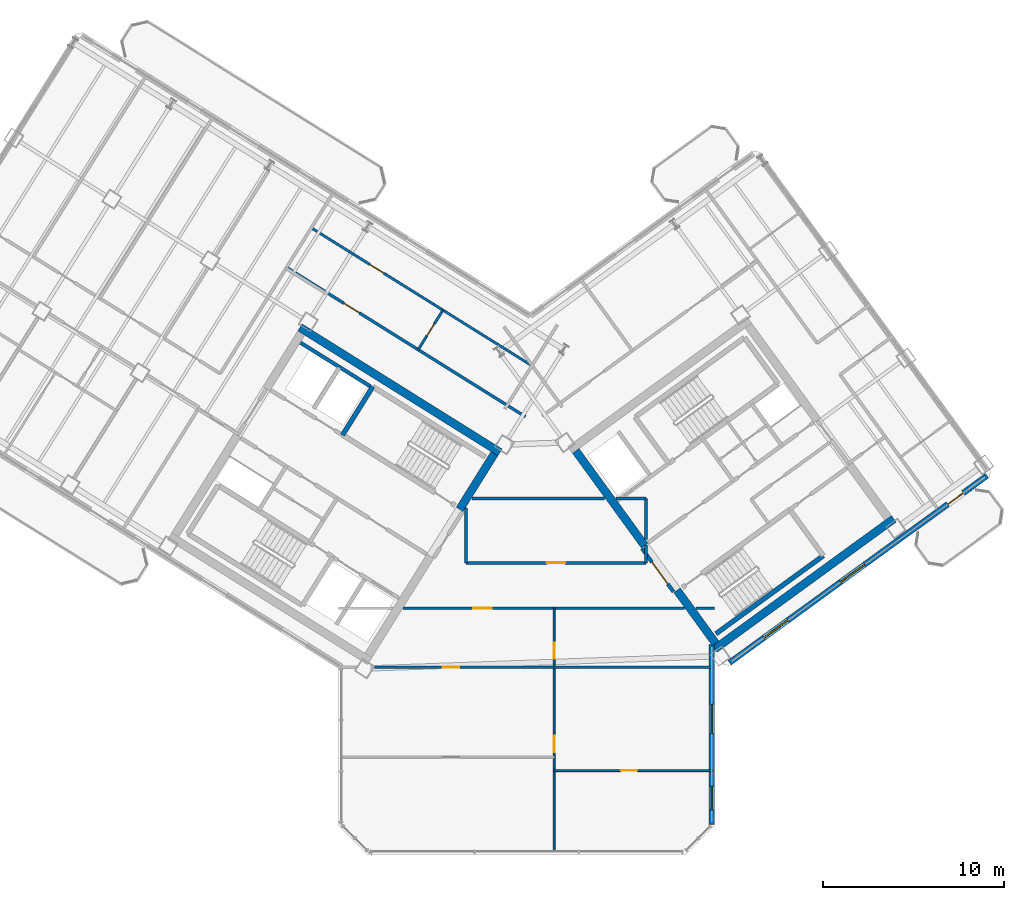
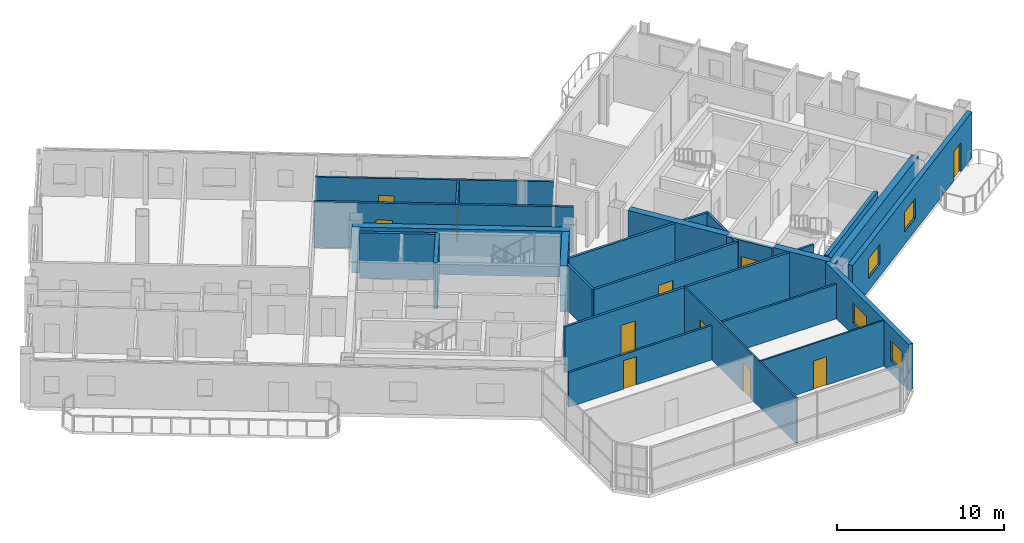
# One storey, part 13 of 21: 26 walls, 11 doors, 4 windows, 15 openings.
"""IFC4 building model written with IfcOpenShell, lengths in metres."""

from ifc_helpers import new_model, si_unit, direction, frame, frame_2d, origin, place, context, subcontext, project, spatial, rectangle, extrude, source, transform, mapped, material, layer, layer_set, type_object, element, fill, save


model = new_model("IFC4")

# Units and contexts
model_context = context("Model", 3, precision=1e-05, world=origin(), true_north=direction((0.0, 1.0)))
body_context = subcontext(model_context, "Body", "Model", "MODEL_VIEW")
ifc_project = project(units=[si_unit("LENGTHUNIT", "METRE"), si_unit("AREAUNIT", "SQUARE_METRE"), si_unit("VOLUMEUNIT", "CUBIC_METRE"), si_unit("PLANEANGLEUNIT", "RADIAN"), si_unit("MASSUNIT", "GRAM", prefix="KILO")], contexts=[model_context])

# Site, building, storey
site_placement = place(None, origin())
site = spatial("IfcSite", under=ifc_project, at=site_placement, CompositionType="ELEMENT")
building_placement = place(site_placement, origin())
building = spatial("IfcBuilding", under=site, at=building_placement, Name="Tlacorven Tower", CompositionType="ELEMENT")
storey_placement = place(building_placement, frame((0.0, 0.0, 214.800048828125)))
storey = spatial("IfcBuildingStorey", under=building, at=storey_placement, Name="L54", CompositionType="ELEMENT", Elevation=214.800048828125)

# Walls
ifc_material_1 = material(Name="Concrete C50/60", Category="concrete")
ifc_layer_1 = layer(ifc_material_1, 0.449951171875)
ifc_layer_set_1 = layer_set([ifc_layer_1], Name="Concrete C50/60")
wall_type_1 = type_object("IfcWallType", Name="WL-COR-450", PredefinedType="SHEAR", material=ifc_layer_set_1)
wall_1_placement = place(storey_placement, frame((40.53076171875, 24.036376953125, 0.0), z_axis=(0.0, 0.0, 1.0), x_axis=(-0.848048787466, 0.529918157905, 0.0)))
element("IfcWall", 1, at=wall_1_placement, inside=storey, type_object=wall_type_1, Name="L54 W core shear wall S1", PredefinedType="SHEAR", context=body_context, shape_type="SweptSolid", body=[
    extrude(rectangle(XDim=13.0400390625, YDim=0.449951171875, at=frame_2d((6.52001953125, 0.0))), origin(), (0.0, 0.0, 1.0), 3.349853515625),
])
wall_2_placement = place(storey_placement, frame((40.220703125, 23.96484375, 0.0), z_axis=(0.0, 0.0, 1.0), x_axis=(-0.529902075036, -0.848058836916, 0.0)))
element("IfcWall", 2, at=wall_2_placement, inside=storey, type_object=wall_type_1, Name="L54 W core end wall E1.1", PredefinedType="SHEAR", context=body_context, shape_type="SweptSolid", body=[
    extrude(rectangle(XDim=3.625, YDim=0.449951171875, at=frame_2d((1.8125, 0.0))), origin(), (0.0, 0.0, 1.0), 3.349853515625),
])
wall_3_placement = place(storey_placement, frame((52.3994140625, 13.169189453125, 0.0), z_axis=(0.0, 0.0, 1.0), x_axis=(0.809022352778, 0.587777877013, 0.0)))
element("IfcWall", 3, at=wall_3_placement, inside=storey, type_object=wall_type_1, Name="L54 E core shear wall S1", PredefinedType="SHEAR", context=body_context, shape_type="SweptSolid", body=[
    extrude(rectangle(XDim=12.239990234375, YDim=0.449951171875, at=frame_2d((6.1201171875, 0.0))), origin(), (0.0, 0.0, 1.0), 3.349853515625),
])
wall_4_placement = place(storey_placement, frame((52.44921875, 13.4833984375, 0.0), z_axis=(0.0, 0.0, 1.0), x_axis=(-0.587819244441, 0.808992296542, 0.0)))
element("IfcWall", 4, at=wall_4_placement, inside=storey, type_object=wall_type_1, Name="L54 E core end wall E1.1", PredefinedType="SHEAR", context=body_context, shape_type="SweptSolid", body=[
    extrude(rectangle(XDim=3.625, YDim=0.449951171875, at=frame_2d((1.8125, 0.0))), origin(), (0.0, 0.0, 1.0), 3.349853515625),
])
wall_5_placement = place(storey_placement, frame((48.525634765625, 18.883544921875, 0.0), z_axis=(0.0, 0.0, 1.0), x_axis=(-0.587774812919, 0.809024578921, 0.0)))
element("IfcWall", 5, at=wall_5_placement, inside=storey, type_object=wall_type_1, Name="L54 E core end wall E1.2", PredefinedType="SHEAR", context=body_context, shape_type="SweptSolid", body=[
    extrude(rectangle(XDim=6.47509765625, YDim=0.449951171875, at=frame_2d((3.237548828125, 0.0))), origin(), (0.0, 0.0, 1.0), 3.349853515625),
])

# Wall, opening, door
ifc_material_2 = material(Name="Gypsum plasterboard acoustic partition", Category="gypsum")
ifc_layer_2 = layer(ifc_material_2, 0.159912109375)
ifc_layer_set_2 = layer_set([ifc_layer_2], Name="Gypsum plasterboard acoustic partition")
wall_type_2 = type_object("IfcWallType", Name="WL-DEM-160", PredefinedType="PARTITIONING", material=ifc_layer_set_2)
wall_6_placement = place(storey_placement, frame((41.93603515625, 26.011962890625, 0.0), z_axis=(0.0, 0.0, 1.0), x_axis=(-0.848051154596, 0.529914369676, 0.0)))
wall_6 = element("IfcWall", 6, at=wall_6_placement, inside=storey, type_object=wall_type_2, Name="L54 partition 58", PredefinedType="PARTITIONING", context=body_context, shape_type="SweptSolid", body=[
    extrude(rectangle(XDim=15.56982421875, YDim=0.159912109375, at=frame_2d((7.784912109375, 0.0))), origin(), (0.0, 0.0, 1.0), 3.33984375),
])
opening_1_placement = place(wall_6_placement, frame((10.830078125, 0.0, 0.0)))
opening_1 = element("IfcOpeningElement", 7, at=opening_1_placement, cuts=wall_6, Name="Opening D11", PredefinedType="OPENING", context=body_context, shape_type="SweptSolid", body=[
    extrude(rectangle(XDim=1.0, YDim=2.10009765625, at=frame_2d((0.5, 1.050048828125))), frame((0.0, 0.08984375, 0.0), z_axis=(0.0, -1.0, 0.0), x_axis=(1.0, 0.0, 0.0)), (0.0, 0.0, 1.0), 0.179931640625),
])
ifc_material_3 = material(Name="Fire-rated steel door assembly", Category="steel")
door_type_1 = type_object("IfcDoorType", Name="DR-FLT-FD60-1000", OperationType="NOTDEFINED", PredefinedType="DOOR", material=ifc_material_3)
shared_shape_1 = source(origin(), body_context, "Body", "SweptSolid", [
    extrude(rectangle(XDim=1.0, YDim=2.10009765625, at=frame_2d((0.5, 1.050048828125))), frame((0.0, 0.02490234375, 0.0), z_axis=(0.0, -1.0, 0.0), x_axis=(1.0, 0.0, 0.0)), (0.0, 0.0, 1.0), 0.050048828125),
])
door_1_placement = place(opening_1_placement, origin())
door_1 = element("IfcDoor", 8, at=door_1_placement, inside=storey, type_object=door_type_1, Name="L54 door 038", OperationType="SINGLE_SWING_LEFT", OverallHeight=2.10009765625, OverallWidth=1.0, PredefinedType="DOOR", context=body_context, shape_type="MappedRepresentation", body=[
    mapped(shared_shape_1, transform((0.0, 0.0, 0.0), scale=1.0)),
])
fill(opening_1, door_1)

wall_7_placement = place(storey_placement, frame((35.178466796875, 15.419921875, 0.0), z_axis=(0.0, 0.0, 1.0), x_axis=(1.0, 0.0, 0.0)))
wall_7 = element("IfcWall", 9, at=wall_7_placement, inside=storey, type_object=wall_type_2, Name="L54 Knuckle Corridor South Wall", PredefinedType="PARTITIONING", context=body_context, shape_type="SweptSolid", body=[
    extrude(rectangle(XDim=15.55224609375, YDim=0.159912109375, at=frame_2d((7.776123046875, 0.0))), origin(), (0.0, 0.0, 1.0), 3.33984375),
])
opening_2_placement = place(wall_7_placement, frame((3.884521484375, 0.0, 0.0)))
opening_2 = element("IfcOpeningElement", 10, at=opening_2_placement, cuts=wall_7, Name="Opening D11", PredefinedType="OPENING", context=body_context, shape_type="SweptSolid", body=[
    extrude(rectangle(XDim=1.0, YDim=2.10009765625, at=frame_2d((0.5, 1.050048828125))), frame((0.0, 0.08984375, 0.0), z_axis=(0.0, -1.0, 0.0), x_axis=(1.0, 0.0, 0.0)), (0.0, 0.0, 1.0), 0.179931640625),
])
door_2_placement = place(opening_2_placement, frame((1.0, 0.0, 0.0), z_axis=(0.0, 0.0, 1.0), x_axis=(-1.0, 0.0, 0.0)))
door_2 = element("IfcDoor", 11, at=door_2_placement, inside=storey, type_object=door_type_1, Name="L54 door 047", OperationType="SINGLE_SWING_RIGHT", OverallHeight=2.10009765625, OverallWidth=1.0, PredefinedType="DOOR", context=body_context, shape_type="MappedRepresentation", body=[
    mapped(shared_shape_1, transform((0.0, 0.0, 0.0), scale=1.0)),
])
fill(opening_2, door_2)

# Wall
wall_8_placement = place(storey_placement, frame((51.353515625, 15.419921875, 0.0), z_axis=(0.0, 0.0, 1.0), x_axis=(1.0, 0.0, 0.0)))
element("IfcWall", 12, at=wall_8_placement, inside=storey, type_object=wall_type_2, Name="L54 Knuckle Corridor South Wall", PredefinedType="PARTITIONING", context=body_context, shape_type="SweptSolid", body=[
    extrude(rectangle(XDim=1.04638671875, YDim=0.159912109375, at=frame_2d((0.523193359375, 0.0))), origin(), (0.0, 0.0, 1.0), 3.33984375),
])

# Wall, opening, door
wall_9_placement = place(storey_placement, frame((38.64990234375, 17.929931640625, 0.0), z_axis=(0.0, 0.0, 1.0), x_axis=(1.0, 0.0, 0.0)))
wall_9 = element("IfcWall", 13, at=wall_9_placement, inside=storey, type_object=wall_type_2, Name="L54 partition 64", PredefinedType="PARTITIONING", context=body_context, shape_type="SweptSolid", body=[
    extrude(rectangle(XDim=9.9501953125, YDim=0.159912109375, at=frame_2d((4.97509765625, 0.0))), origin(), (0.0, 0.0, 1.0), 3.33984375),
])
opening_3_placement = place(wall_9_placement, frame((4.47509765625, 0.0, 0.0)))
opening_3 = element("IfcOpeningElement", 14, at=opening_3_placement, cuts=wall_9, Name="Opening D11", PredefinedType="OPENING", context=body_context, shape_type="SweptSolid", body=[
    extrude(rectangle(XDim=1.0, YDim=2.10009765625, at=frame_2d((0.5, 1.050048828125))), frame((0.0, 0.08984375, 0.0), z_axis=(0.0, -1.0, 0.0), x_axis=(1.0, 0.0, 0.0)), (0.0, 0.0, 1.0), 0.179931640625),
])
door_3_placement = place(opening_3_placement, origin())
door_3 = element("IfcDoor", 15, at=door_3_placement, inside=storey, type_object=door_type_1, Name="L54 door 041", OperationType="SINGLE_SWING_RIGHT", OverallHeight=2.10009765625, OverallWidth=1.0, PredefinedType="DOOR", context=body_context, shape_type="MappedRepresentation", body=[
    mapped(shared_shape_1, transform((0.0, 0.0, 0.0), scale=1.0)),
])
fill(opening_3, door_3)

# Walls
wall_10_placement = place(storey_placement, frame((38.64990234375, 17.929931640625, 0.0), z_axis=(0.0, 0.0, 1.0), x_axis=(0.0, 1.0, 0.0)))
element("IfcWall", 16, at=wall_10_placement, inside=storey, type_object=wall_type_2, Name="L54 partition 65", PredefinedType="PARTITIONING", context=body_context, shape_type="SweptSolid", body=[
    extrude(rectangle(XDim=3.045654296875, YDim=0.159912109375, at=frame_2d((1.52294921875, 0.0))), origin(), (0.0, 0.0, 1.0), 3.33984375),
])
wall_11_placement = place(storey_placement, frame((48.60009765625, 17.929931640625, 0.0), z_axis=(0.0, 0.0, 1.0), x_axis=(0.0, 1.0, 0.0)))
element("IfcWall", 17, at=wall_11_placement, inside=storey, type_object=wall_type_2, Name="L54 partition 66", PredefinedType="PARTITIONING", context=body_context, shape_type="SweptSolid", body=[
    extrude(rectangle(XDim=0.99267578125, YDim=0.159912109375, at=frame_2d((0.496337890625, 0.0))), origin(), (0.0, 0.0, 1.0), 3.33984375),
])
wall_12_placement = place(storey_placement, frame((48.60009765625, 19.2099609375, 0.0), z_axis=(0.0, 0.0, 1.0), x_axis=(0.0, 1.0, 0.0)))
element("IfcWall", 18, at=wall_12_placement, inside=storey, type_object=wall_type_2, Name="L54 partition 66", PredefinedType="PARTITIONING", context=body_context, shape_type="SweptSolid", body=[
    extrude(rectangle(XDim=2.2900390625, YDim=0.159912109375, at=frame_2d((1.14501953125, 0.0))), origin(), (0.0, 0.0, 1.0), 3.33984375),
])
wall_13_placement = place(storey_placement, frame((38.9775390625, 21.5, 0.0), z_axis=(0.0, 0.0, 1.0), x_axis=(1.0, 0.0, 0.0)))
element("IfcWall", 19, at=wall_13_placement, inside=storey, type_object=wall_type_2, Name="L54 partition 67", PredefinedType="PARTITIONING", context=body_context, shape_type="SweptSolid", body=[
    extrude(rectangle(XDim=7.335693359375, YDim=0.159912109375, at=frame_2d((3.66796875, 0.0))), origin(), (0.0, 0.0, 1.0), 3.33984375),
])
wall_14_placement = place(storey_placement, frame((46.936279296875, 21.5, 0.0), z_axis=(0.0, 0.0, 1.0), x_axis=(1.0, 0.0, 0.0)))
element("IfcWall", 20, at=wall_14_placement, inside=storey, type_object=wall_type_2, Name="L54 partition 67", PredefinedType="PARTITIONING", context=body_context, shape_type="SweptSolid", body=[
    extrude(rectangle(XDim=1.663818359375, YDim=0.159912109375, at=frame_2d((0.83203125, 0.0))), origin(), (0.0, 0.0, 1.0), 3.33984375),
])

# Wall, openings, door, windows
ifc_material_4 = material(Name="Precast concrete C45/55", Category="concrete")
ifc_layer_3 = layer(ifc_material_4, 0.320068359375)
ifc_layer_set_3 = layer_set([ifc_layer_3], Name="Precast concrete C45/55")
wall_type_3 = type_object("IfcWallType", Name="WL-EXT-320", PredefinedType="STANDARD", material=ifc_layer_set_3)
wall_15_placement = place(storey_placement, frame((67.45361328125, 22.746826171875, 0.0), z_axis=(0.0, 0.0, 1.0), x_axis=(-0.809021120468, -0.587779573171, 0.0)))
wall_15 = element("IfcWall", 21, at=wall_15_placement, inside=storey, type_object=wall_type_3, Name="L54 Masonry-Frame Recessed Facade Wall 6", PredefinedType="STANDARD", context=body_context, shape_type="SweptSolid", body=[
    extrude(rectangle(XDim=17.587646484375, YDim=0.320068359375, at=frame_2d((8.7939453125, 0.0))), origin(), (0.0, 0.0, 1.0), 3.349853515625),
])
opening_4_placement = place(wall_15_placement, frame((1.623779296875, 0.0, 0.0)))
opening_4 = element("IfcOpeningElement", 22, at=opening_4_placement, cuts=wall_15, Name="Opening D06", PredefinedType="OPENING", context=body_context, shape_type="SweptSolid", body=[
    extrude(rectangle(XDim=1.050048828125, YDim=2.14990234375, at=frame_2d((0.52490234375, 1.074951171875))), frame((0.0, 0.169921875, 0.0), z_axis=(0.0, -1.0, 0.0), x_axis=(1.0, 0.0, 0.0)), (0.0, 0.0, 1.0), 0.340087890625),
])
opening_5_placement = place(wall_15_placement, frame((8.34375, 0.0, 0.89990234375)))
opening_5 = element("IfcOpeningElement", 23, at=opening_5_placement, cuts=wall_15, Name="Opening WN07", PredefinedType="OPENING", context=body_context, shape_type="SweptSolid", body=[
    extrude(rectangle(XDim=1.64990234375, YDim=1.449951171875, at=frame_2d((0.824951171875, 0.72509765625))), frame((0.0, 0.169921875, 0.0), z_axis=(0.0, -1.0, 0.0), x_axis=(1.0, 0.0, 0.0)), (0.0, 0.0, 1.0), 0.340087890625),
])
opening_6_placement = place(wall_15_placement, frame((13.59375, 0.0, 0.89990234375)))
opening_6 = element("IfcOpeningElement", 24, at=opening_6_placement, cuts=wall_15, Name="Opening WN07", PredefinedType="OPENING", context=body_context, shape_type="SweptSolid", body=[
    extrude(rectangle(XDim=1.64990234375, YDim=1.449951171875, at=frame_2d((0.824951171875, 0.72509765625))), frame((0.0, 0.169921875, 0.0), z_axis=(0.0, -1.0, 0.0), x_axis=(1.0, 0.0, 0.0)), (0.0, 0.0, 1.0), 0.340087890625),
])
ifc_material_5 = material(Name="Powder-coated aluminium and timber door", Category="wood")
door_type_2 = type_object("IfcDoorType", Name="DR-EXT-BALC-1050", OperationType="NOTDEFINED", PredefinedType="DOOR", material=ifc_material_5)
shared_shape_2 = source(origin(), body_context, "Body", "SweptSolid", [
    extrude(rectangle(XDim=1.050048828125, YDim=2.14990234375, at=frame_2d((0.52490234375, 1.074951171875))), frame((0.0, 0.02490234375, 0.0), z_axis=(0.0, -1.0, 0.0), x_axis=(1.0, 0.0, 0.0)), (0.0, 0.0, 1.0), 0.050048828125),
])
door_4_placement = place(opening_4_placement, origin())
door_4 = element("IfcDoor", 25, at=door_4_placement, inside=storey, type_object=door_type_2, Name="L54 Outdoor Access Door BAL-L54-E-OUT", OperationType="SINGLE_SWING_LEFT", OverallHeight=2.14990234375, OverallWidth=1.050048828125, PredefinedType="DOOR", context=body_context, shape_type="MappedRepresentation", body=[
    mapped(shared_shape_2, transform((0.0, 0.0, 0.0), scale=1.0)),
])
fill(opening_4, door_4)
ifc_material_6 = material(Name="Dark solar low-E double glazing in anodised aluminium frame", Category="aluminium")
window_type_1 = type_object("IfcWindowType", Name="WN-APT-1650X1600", PartitioningType="SINGLE_PANEL", PredefinedType="WINDOW", material=ifc_material_6)
shared_shape_3 = source(origin(), body_context, "Body", "SweptSolid", [
    extrude(rectangle(XDim=1.64990234375, YDim=1.449951171875, at=frame_2d((0.824951171875, 0.72509765625))), frame((0.0, 0.030029296875, 0.0), z_axis=(0.0, -1.0, 0.0), x_axis=(1.0, 0.0, 0.0)), (0.0, 0.0, 1.0), 0.06005859375),
])
window_1_placement = place(opening_5_placement, origin())
window_1 = element("IfcWindow", 26, at=window_1_placement, inside=storey, type_object=window_type_1, Name="L54 Recessed Masonry-Frame Window L54-06.1", OverallHeight=1.449951171875, OverallWidth=1.64990234375, PartitioningType="SINGLE_PANEL", PredefinedType="WINDOW", context=body_context, shape_type="MappedRepresentation", body=[
    mapped(shared_shape_3, transform((0.0, 0.0, 0.0), scale=1.0)),
])
fill(opening_5, window_1)
window_2_placement = place(opening_6_placement, origin())
window_2 = element("IfcWindow", 27, at=window_2_placement, inside=storey, type_object=window_type_1, Name="L54 Recessed Masonry-Frame Window L54-06.2", OverallHeight=1.449951171875, OverallWidth=1.64990234375, PartitioningType="SINGLE_PANEL", PredefinedType="WINDOW", context=body_context, shape_type="MappedRepresentation", body=[
    mapped(shared_shape_3, transform((0.0, 0.0, 0.0), scale=1.0)),
])
fill(opening_6, window_2)

# Wall, openings, windows
wall_16_placement = place(storey_placement, frame((52.239990234375, 13.4140625, 0.0), z_axis=(0.0, 0.0, 1.0), x_axis=(0.0, -1.0, 0.0)))
wall_16 = element("IfcWall", 28, at=wall_16_placement, inside=storey, type_object=wall_type_3, Name="L54 Masonry-Frame Recessed Facade Wall 7", PredefinedType="STANDARD", context=body_context, shape_type="SweptSolid", body=[
    extrude(rectangle(XDim=9.94775390625, YDim=0.320068359375, at=frame_2d((4.973876953125, 0.0))), origin(), (0.0, 0.0, 1.0), 3.349853515625),
])
opening_7_placement = place(wall_16_placement, frame((3.28662109375, 0.0, 0.89990234375)))
opening_7 = element("IfcOpeningElement", 29, at=opening_7_placement, cuts=wall_16, Name="Opening WN07", PredefinedType="OPENING", context=body_context, shape_type="SweptSolid", body=[
    extrude(rectangle(XDim=1.64990234375, YDim=1.449951171875, at=frame_2d((0.824951171875, 0.72509765625))), frame((0.0, 0.169921875, 0.0), z_axis=(0.0, -1.0, 0.0), x_axis=(1.0, 0.0, 0.0)), (0.0, 0.0, 1.0), 0.340087890625),
])
opening_8_placement = place(wall_16_placement, frame((7.808349609375, 0.0, 0.89990234375)))
opening_8 = element("IfcOpeningElement", 30, at=opening_8_placement, cuts=wall_16, Name="Opening WN08", PredefinedType="OPENING", context=body_context, shape_type="SweptSolid", body=[
    extrude(rectangle(XDim=1.35009765625, YDim=1.449951171875, at=frame_2d((0.675048828125, 0.72509765625))), frame((0.0, 0.169921875, 0.0), z_axis=(0.0, -1.0, 0.0), x_axis=(1.0, 0.0, 0.0)), (0.0, 0.0, 1.0), 0.340087890625),
])
window_3_placement = place(opening_7_placement, origin())
window_3 = element("IfcWindow", 31, at=window_3_placement, inside=storey, type_object=window_type_1, Name="L54 Recessed Masonry-Frame Window L54-07.1", OverallHeight=1.449951171875, OverallWidth=1.64990234375, PartitioningType="SINGLE_PANEL", PredefinedType="WINDOW", context=body_context, shape_type="MappedRepresentation", body=[
    mapped(shared_shape_3, transform((0.0, 0.0, 0.0), scale=1.0)),
])
fill(opening_7, window_3)
window_type_2 = type_object("IfcWindowType", Name="WN-APT-1350X1550", PartitioningType="SINGLE_PANEL", PredefinedType="WINDOW", material=ifc_material_6)
shared_shape_4 = source(origin(), body_context, "Body", "SweptSolid", [
    extrude(rectangle(XDim=1.35009765625, YDim=1.449951171875, at=frame_2d((0.675048828125, 0.72509765625))), frame((0.0, 0.030029296875, 0.0), z_axis=(0.0, -1.0, 0.0), x_axis=(1.0, 0.0, 0.0)), (0.0, 0.0, 1.0), 0.06005859375),
])
window_4_placement = place(opening_8_placement, origin())
window_4 = element("IfcWindow", 32, at=window_4_placement, inside=storey, type_object=window_type_2, Name="L54 Recessed Masonry-Frame Window L54-07.2", OverallHeight=1.449951171875, OverallWidth=1.35009765625, PartitioningType="SINGLE_PANEL", PredefinedType="WINDOW", context=body_context, shape_type="MappedRepresentation", body=[
    mapped(shared_shape_4, transform((0.0, 0.0, 0.0), scale=1.0)),
])
fill(opening_8, window_4)

# Wall, openings, doors
ifc_material_7 = material(Name="Gypsum plasterboard partition", Category="gypsum")
ifc_layer_4 = layer(ifc_material_7, 0.110107421875)
ifc_layer_set_4 = layer_set([ifc_layer_4], Name="Gypsum plasterboard partition")
wall_type_4 = type_object("IfcWallType", Name="WL-INT-110", PredefinedType="PARTITIONING", material=ifc_layer_set_4)
wall_17_placement = place(storey_placement, frame((43.52587890625, 1.9599609375, 0.0), z_axis=(0.0, 0.0, 1.0), x_axis=(0.0, 1.0, 0.0)))
wall_17 = element("IfcWall", 33, at=wall_17_placement, inside=storey, type_object=wall_type_4, Name="L54 partition 69", PredefinedType="PARTITIONING", context=body_context, shape_type="SweptSolid", body=[
    extrude(rectangle(XDim=13.4599609375, YDim=0.110107421875, at=frame_2d((6.72998046875, 0.0))), origin(), (0.0, 0.0, 1.0), 3.33984375),
])
opening_9_placement = place(wall_17_placement, frame((5.5, 0.0, 0.0)))
opening_9 = element("IfcOpeningElement", 34, at=opening_9_placement, cuts=wall_17, Name="Opening D12", PredefinedType="OPENING", context=body_context, shape_type="SweptSolid", body=[
    extrude(rectangle(XDim=0.919921875, YDim=2.080078125, at=frame_2d((0.4599609375, 1.0400390625))), frame((0.0, 0.06494140625, 0.0), z_axis=(0.0, -1.0, 0.0), x_axis=(1.0, 0.0, 0.0)), (0.0, 0.0, 1.0), 0.130126953125),
])
opening_10_placement = place(wall_17_placement, frame((10.669921875, 0.0, 0.0)))
opening_10 = element("IfcOpeningElement", 35, at=opening_10_placement, cuts=wall_17, Name="Opening D13", PredefinedType="OPENING", context=body_context, shape_type="SweptSolid", body=[
    extrude(rectangle(XDim=0.8798828125, YDim=2.080078125, at=frame_2d((0.43994140625, 1.0400390625))), frame((0.0, 0.06494140625, 0.0), z_axis=(0.0, -1.0, 0.0), x_axis=(1.0, 0.0, 0.0)), (0.0, 0.0, 1.0), 0.130126953125),
])
door_type_3 = type_object("IfcDoorType", Name="DR-INT-WET-0880", OperationType="NOTDEFINED", PredefinedType="DOOR", material=ifc_material_5)
shared_shape_5 = source(origin(), body_context, "Body", "SweptSolid", [
    extrude(rectangle(XDim=0.8798828125, YDim=2.080078125, at=frame_2d((0.43994140625, 1.0400390625))), frame((0.0, 0.02490234375, 0.0), z_axis=(0.0, -1.0, 0.0), x_axis=(1.0, 0.0, 0.0)), (0.0, 0.0, 1.0), 0.050048828125),
])
door_5_placement = place(opening_10_placement, origin())
door_5 = element("IfcDoor", 36, at=door_5_placement, inside=storey, type_object=door_type_3, Name="L54 door 049", OperationType="SINGLE_SWING_RIGHT", OverallHeight=2.080078125, OverallWidth=0.8798828125, PredefinedType="DOOR", context=body_context, shape_type="MappedRepresentation", body=[
    mapped(shared_shape_5, transform((0.0, 0.0, 0.0), scale=1.0)),
])
fill(opening_10, door_5)
door_type_4 = type_object("IfcDoorType", Name="DR-INT-ROOM-0920", OperationType="NOTDEFINED", PredefinedType="DOOR", material=ifc_material_5)
shared_shape_6 = source(origin(), body_context, "Body", "SweptSolid", [
    extrude(rectangle(XDim=0.919921875, YDim=2.080078125, at=frame_2d((0.4599609375, 1.0400390625))), frame((0.0, 0.02490234375, 0.0), z_axis=(0.0, -1.0, 0.0), x_axis=(1.0, 0.0, 0.0)), (0.0, 0.0, 1.0), 0.050048828125),
])
door_6_placement = place(opening_9_placement, origin())
door_6 = element("IfcDoor", 37, at=door_6_placement, inside=storey, type_object=door_type_4, Name="L54 door 045", OperationType="SINGLE_SWING_RIGHT", OverallHeight=2.080078125, OverallWidth=0.919921875, PredefinedType="DOOR", context=body_context, shape_type="MappedRepresentation", body=[
    mapped(shared_shape_6, transform((0.0, 0.0, 0.0), scale=1.0)),
])
fill(opening_9, door_6)

# Wall, opening, door
wall_18_placement = place(storey_placement, frame((43.52587890625, 6.449951171875, 0.0), z_axis=(0.0, 0.0, 1.0), x_axis=(1.0, 0.0, 0.0)))
wall_18 = element("IfcWall", 38, at=wall_18_placement, inside=storey, type_object=wall_type_4, Name="L54 partition 73", PredefinedType="PARTITIONING", context=body_context, shape_type="SweptSolid", body=[
    extrude(rectangle(XDim=8.734130859375, YDim=0.110107421875, at=frame_2d((4.3671875, 0.0))), origin(), (0.0, 0.0, 1.0), 3.33984375),
])
opening_11_placement = place(wall_18_placement, frame((3.677001953125, 0.0, 0.0)))
opening_11 = element("IfcOpeningElement", 39, at=opening_11_placement, cuts=wall_18, Name="Opening D12", PredefinedType="OPENING", context=body_context, shape_type="SweptSolid", body=[
    extrude(rectangle(XDim=0.919921875, YDim=2.080078125, at=frame_2d((0.4599609375, 1.0400390625))), frame((0.0, 0.06494140625, 0.0), z_axis=(0.0, -1.0, 0.0), x_axis=(1.0, 0.0, 0.0)), (0.0, 0.0, 1.0), 0.130126953125),
])
door_7_placement = place(opening_11_placement, origin())
door_7 = element("IfcDoor", 40, at=door_7_placement, inside=storey, type_object=door_type_4, Name="L54 door 046", OperationType="SINGLE_SWING_LEFT", OverallHeight=2.080078125, OverallWidth=0.919921875, PredefinedType="DOOR", context=body_context, shape_type="MappedRepresentation", body=[
    mapped(shared_shape_6, transform((0.0, 0.0, 0.0), scale=1.0)),
])
fill(opening_11, door_7)

ifc_material_8 = material(Name="Moisture-resistant gypsum plumbing wall", Category="gypsum")
ifc_layer_5 = layer(ifc_material_8, 0.139892578125)
ifc_layer_set_5 = layer_set([ifc_layer_5], Name="Moisture-resistant gypsum plumbing wall")
wall_type_5 = type_object("IfcWallType", Name="WL-PLM-140", PredefinedType="PLUMBINGWALL", material=ifc_layer_set_5)
wall_19_placement = place(storey_placement, frame((42.226318359375, 28.872802734375, 0.0), z_axis=(0.0, 0.0, 1.0), x_axis=(-0.848049134363, 0.529917602752, 0.0)))
wall_19 = element("IfcWall", 41, at=wall_19_placement, inside=storey, type_object=wall_type_5, Name="L54 partition 60", PredefinedType="PLUMBINGWALL", context=body_context, shape_type="SweptSolid", body=[
    extrude(rectangle(XDim=14.300048828125, YDim=0.139892578125, at=frame_2d((7.14990234375, 0.0))), origin(), (0.0, 0.0, 1.0), 3.33984375),
])
opening_12_placement = place(wall_19_placement, frame((9.570068359375, 0.0, 0.0)))
opening_12 = element("IfcOpeningElement", 42, at=opening_12_placement, cuts=wall_19, Name="Opening D12", PredefinedType="OPENING", context=body_context, shape_type="SweptSolid", body=[
    extrude(rectangle(XDim=0.919921875, YDim=2.080078125, at=frame_2d((0.4599609375, 1.0400390625))), frame((0.0, 0.080078125, 0.0), z_axis=(0.0, -1.0, 0.0), x_axis=(1.0, 0.0, 0.0)), (0.0, 0.0, 1.0), 0.159912109375),
])
door_8_placement = place(opening_12_placement, origin())
door_8 = element("IfcDoor", 43, at=door_8_placement, inside=storey, type_object=door_type_4, Name="L54 door 039", OperationType="SINGLE_SWING_RIGHT", OverallHeight=2.080078125, OverallWidth=0.919921875, PredefinedType="DOOR", context=body_context, shape_type="MappedRepresentation", body=[
    mapped(shared_shape_6, transform((0.0, 0.0, 0.0), scale=1.0)),
])
fill(opening_12, door_8)

wall_20_placement = place(storey_placement, frame((37.37548828125, 31.904052734375, 0.0), z_axis=(0.0, 0.0, 1.0), x_axis=(-0.529913878929, -0.848051461244, 0.0)))
wall_20 = element("IfcWall", 44, at=wall_20_placement, inside=storey, type_object=wall_type_5, Name="L54 partition 61", PredefinedType="PLUMBINGWALL", context=body_context, shape_type="SweptSolid", body=[
    extrude(rectangle(XDim=2.580078125, YDim=0.139892578125, at=frame_2d((1.2900390625, 0.0))), origin(), (0.0, 0.0, 1.0), 3.33984375),
])
opening_13_placement = place(wall_20_placement, frame((0.89990234375, 0.0, 0.0)))
opening_13 = element("IfcOpeningElement", 45, at=opening_13_placement, cuts=wall_20, Name="Opening D22", PredefinedType="OPENING", context=body_context, shape_type="SweptSolid", body=[
    extrude(rectangle(XDim=0.780029296875, YDim=2.050048828125, at=frame_2d((0.39013671875, 1.02490234375))), frame((0.0, 0.080078125, 0.0), z_axis=(0.0, -1.0, 0.0), x_axis=(1.0, 0.0, 0.0)), (0.0, 0.0, 1.0), 0.159912109375),
])
door_type_5 = type_object("IfcDoorType", Name="DR-INT-WET-0780", OperationType="NOTDEFINED", PredefinedType="DOOR", material=ifc_material_5)
shared_shape_7 = source(origin(), body_context, "Body", "SweptSolid", [
    extrude(rectangle(XDim=0.780029296875, YDim=2.050048828125, at=frame_2d((0.39013671875, 1.02490234375))), frame((0.0, 0.02490234375, 0.0), z_axis=(0.0, -1.0, 0.0), x_axis=(1.0, 0.0, 0.0)), (0.0, 0.0, 1.0), 0.050048828125),
])
door_9_placement = place(opening_13_placement, origin())
door_9 = element("IfcDoor", 46, at=door_9_placement, inside=storey, type_object=door_type_5, Name="L54 door 040", OperationType="SINGLE_SWING_LEFT", OverallHeight=2.050048828125, OverallWidth=0.780029296875, PredefinedType="DOOR", context=body_context, shape_type="MappedRepresentation", body=[
    mapped(shared_shape_7, transform((0.0, 0.0, 0.0), scale=1.0)),
])
fill(opening_13, door_9)

wall_21_placement = place(storey_placement, frame((33.583984375, 12.169921875, 0.0), z_axis=(0.0, 0.0, 1.0), x_axis=(1.0, 0.0, 0.0)))
wall_21 = element("IfcWall", 47, at=wall_21_placement, inside=storey, type_object=wall_type_5, Name="L54 partition 70", PredefinedType="PLUMBINGWALL", context=body_context, shape_type="SweptSolid", body=[
    extrude(rectangle(XDim=9.94189453125, YDim=0.139892578125, at=frame_2d((4.970947265625, 0.0))), origin(), (0.0, 0.0, 1.0), 2.52490234375),
])
opening_14_placement = place(wall_21_placement, frame((3.76904296875, 0.0, 0.0)))
opening_14 = element("IfcOpeningElement", 48, at=opening_14_placement, cuts=wall_21, Name="Opening D12", PredefinedType="OPENING", context=body_context, shape_type="SweptSolid", body=[
    extrude(rectangle(XDim=0.919921875, YDim=2.080078125, at=frame_2d((0.4599609375, 1.0400390625))), frame((0.0, 0.080078125, 0.0), z_axis=(0.0, -1.0, 0.0), x_axis=(1.0, 0.0, 0.0)), (0.0, 0.0, 1.0), 0.159912109375),
])
door_10_placement = place(opening_14_placement, frame((0.919921875, 0.0, 0.0), z_axis=(0.0, 0.0, 1.0), x_axis=(-1.0, 0.0, 0.0)))
door_10 = element("IfcDoor", 49, at=door_10_placement, inside=storey, type_object=door_type_4, Name="L54 door 048", OperationType="SINGLE_SWING_LEFT", OverallHeight=2.080078125, OverallWidth=0.919921875, PredefinedType="DOOR", context=body_context, shape_type="MappedRepresentation", body=[
    mapped(shared_shape_6, transform((0.0, 0.0, 0.0), scale=1.0)),
])
fill(opening_14, door_10)

# Walls
wall_22_placement = place(storey_placement, frame((43.52587890625, 12.169921875, 0.0), z_axis=(0.0, 0.0, 1.0), x_axis=(1.0, 0.0, 0.0)))
element("IfcWall", 50, at=wall_22_placement, inside=storey, type_object=wall_type_5, Name="L54 partition 71", PredefinedType="PLUMBINGWALL", context=body_context, shape_type="SweptSolid", body=[
    extrude(rectangle(XDim=8.734130859375, YDim=0.139892578125, at=frame_2d((4.3671875, 0.0))), origin(), (0.0, 0.0, 1.0), 2.52490234375),
])
ifc_material_9 = material(Name="Concrete C40/50", Category="concrete")
ifc_layer_6 = layer(ifc_material_9, 0.199951171875)
ifc_layer_set_6 = layer_set([ifc_layer_6], Name="Concrete C40/50")
wall_type_6 = type_object("IfcWallType", Name="WL-SHF-200", PredefinedType="STANDARD", material=ifc_layer_set_6)
wall_23_placement = place(storey_placement, frame((33.362548828125, 27.690185546875, 0.0), z_axis=(0.0, 0.0, 1.0), x_axis=(-0.84804957148, 0.529916903215, 0.0)))
element("IfcWall", 51, at=wall_23_placement, inside=storey, type_object=wall_type_6, Name="L54 partition 14", PredefinedType="STANDARD", context=body_context, shape_type="SweptSolid", body=[
    extrude(rectangle(XDim=4.547607421875, YDim=0.199951171875, at=frame_2d((2.27392578125, 0.0))), origin(), (0.0, 0.0, 1.0), 3.33984375),
])

# Wall, opening, door
wall_24_placement = place(storey_placement, frame((50.119140625, 16.3330078125, 0.0), z_axis=(0.0, 0.0, 1.0), x_axis=(-0.587749856981, 0.809042709391, 0.0)))
wall_24 = element("IfcWall", 52, at=wall_24_placement, inside=storey, type_object=wall_type_6, Name="L54 partition 68", PredefinedType="STANDARD", context=body_context, shape_type="SweptSolid", body=[
    extrude(rectangle(XDim=2.9599609375, YDim=0.199951171875, at=frame_2d((1.47998046875, 0.0))), origin(), (0.0, 0.0, 1.0), 3.33984375),
])
opening_15_placement = place(wall_24_placement, frame((0.530029296875, 0.0, 0.0)))
opening_15 = element("IfcOpeningElement", 53, at=opening_15_placement, cuts=wall_24, Name="Opening D10", PredefinedType="OPENING", context=body_context, shape_type="SweptSolid", body=[
    extrude(rectangle(XDim=1.5, YDim=2.14990234375, at=frame_2d((0.75, 1.074951171875))), frame((0.0, 0.10986328125, 0.0), z_axis=(0.0, -1.0, 0.0), x_axis=(1.0, 0.0, 0.0)), (0.0, 0.0, 1.0), 0.219970703125),
])
door_type_6 = type_object("IfcDoorType", Name="DR-LOB-FD60-1500", OperationType="DOUBLE_DOOR_SINGLE_SWING", PredefinedType="DOOR", material=ifc_material_3)
shared_shape_8 = source(origin(), body_context, "Body", "SweptSolid", [
    extrude(rectangle(XDim=1.5, YDim=2.14990234375, at=frame_2d((0.75, 1.074951171875))), frame((0.0, 0.02490234375, 0.0), z_axis=(0.0, -1.0, 0.0), x_axis=(1.0, 0.0, 0.0)), (0.0, 0.0, 1.0), 0.050048828125),
])
door_11_placement = place(opening_15_placement, frame((1.5, 0.0, 0.0), z_axis=(0.0, 0.0, 1.0), x_axis=(-1.0, 0.0, 0.0)))
door_11 = element("IfcDoor", 54, at=door_11_placement, inside=storey, type_object=door_type_6, Name="L54 door 043", OperationType="DOUBLE_DOOR_SINGLE_SWING", OverallHeight=2.14990234375, OverallWidth=1.5, PredefinedType="DOOR", context=body_context, shape_type="MappedRepresentation", body=[
    mapped(shared_shape_8, transform((0.0, 0.0, 0.0), scale=1.0)),
])
fill(opening_15, door_11)

# Walls
ifc_layer_7 = layer(ifc_material_1, 0.260009765625)
ifc_layer_set_7 = layer_set([ifc_layer_7], Name="Concrete C50/60")
wall_type_7 = type_object("IfcWallType", Name="WL-STW-260", PredefinedType="SHEAR", material=ifc_layer_set_7)
wall_25_placement = place(storey_placement, frame((33.496337890625, 27.677490234375, 0.0), z_axis=(0.0, 0.0, 1.0), x_axis=(-0.529908658664, -0.84805472316, 0.0)))
element("IfcWall", 55, at=wall_25_placement, inside=storey, type_object=wall_type_7, Name="L54 Stair W2 East Shear Wall", PredefinedType="SHEAR", context=body_context, shape_type="SweptSolid", body=[
    extrude(rectangle(XDim=3.16015625, YDim=0.260009765625, at=frame_2d((1.580078125, 0.0))), origin(), (0.0, 0.0, 1.0), 3.349853515625),
])
wall_26_placement = place(storey_placement, frame((52.47216796875, 14.01318359375, 0.0), z_axis=(0.0, 0.0, 1.0), x_axis=(0.809028366311, 0.587769599847, 0.0)))
element("IfcWall", 56, at=wall_26_placement, inside=storey, type_object=wall_type_7, Name="L54 Stair E2 Far Shear Wall", PredefinedType="SHEAR", context=body_context, shape_type="SweptSolid", body=[
    extrude(rectangle(XDim=7.330078125, YDim=0.260009765625, at=frame_2d((3.6650390625, 0.0))), origin(), (0.0, 0.0, 1.0), 3.349853515625),
])

save(model, "model.ifc")
